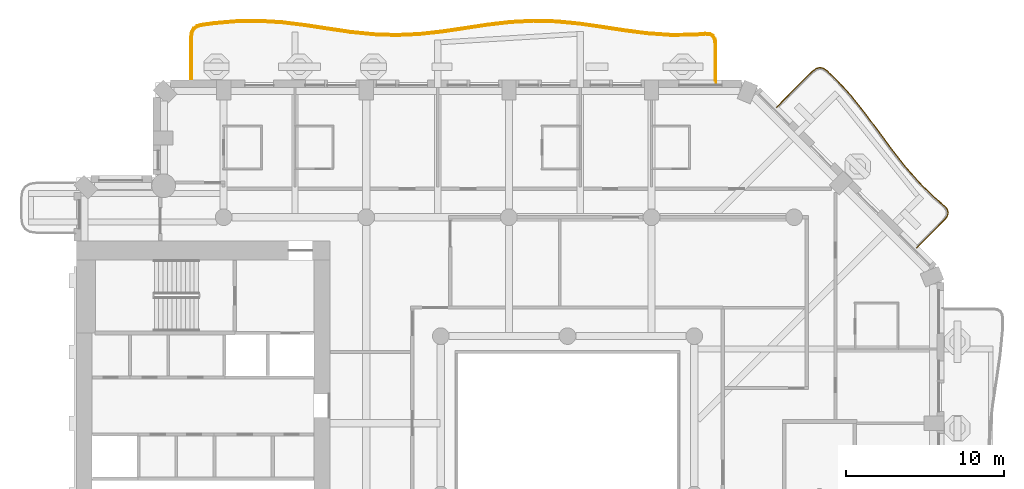
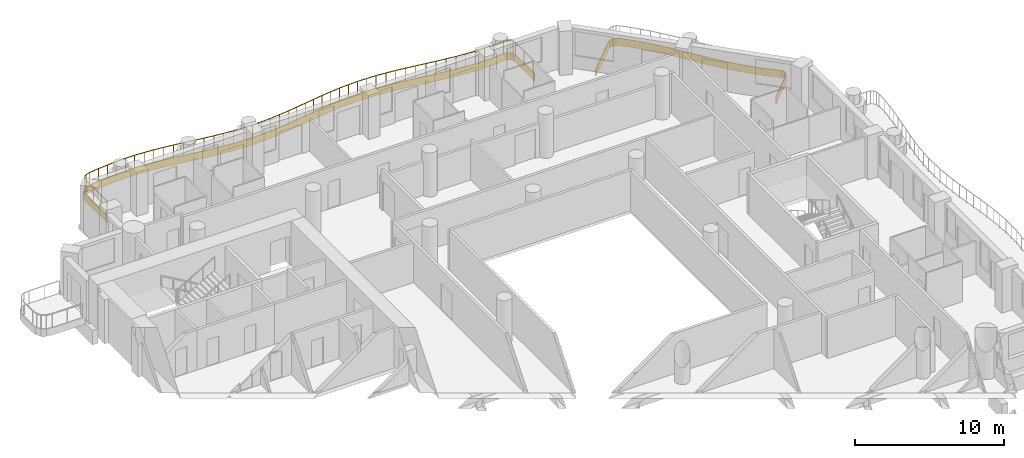
# One storey, part 19 of 21: 2 coverings, 1 railing.
"""IFC4 building model written with IfcOpenShell, lengths in metres."""

from ifc_helpers import new_model, si_unit, direction, frame, origin, origin_2d, place, context, subcontext, project, spatial, polyline, rectangle, outline, extrude, material, layer, layer_set, type_object, element, save


model = new_model("IFC4")

# Units and contexts
model_context = context("Model", 3, precision=1e-05, world=origin(), true_north=direction((0.0, 1.0)))
body_context = subcontext(model_context, "Body", "Model", "MODEL_VIEW")
ifc_project = project(units=[si_unit("LENGTHUNIT", "METRE"), si_unit("AREAUNIT", "SQUARE_METRE"), si_unit("VOLUMEUNIT", "CUBIC_METRE"), si_unit("PLANEANGLEUNIT", "RADIAN"), si_unit("MASSUNIT", "GRAM", prefix="KILO")], contexts=[model_context])

# Site, building, storey
site_placement = place(None, origin())
site = spatial("IfcSite", under=ifc_project, at=site_placement, CompositionType="ELEMENT")
building_placement = place(site_placement, origin())
building = spatial("IfcBuilding", under=site, at=building_placement, Name="Cypress Arch Tower", CompositionType="ELEMENT")
storey_placement = place(building_placement, frame((0.0, 0.0, 127.5)))
storey = spatial("IfcBuildingStorey", under=building, at=storey_placement, Name="L27", CompositionType="ELEMENT", Elevation=127.5)

# Coverings
ifc_material_1 = material(Name="White powder-coated aluminium fascia", Category="aluminium")
ifc_layer = layer(ifc_material_1, 0.050048828125)
ifc_layer_set = layer_set([ifc_layer], Name="Balcony fascia BF50")
covering_type = type_object("IfcCoveringType", Name="Balcony fascia BF50", PredefinedType="CLADDING", material=ifc_layer_set)
covering_1_placement = place(storey_placement, frame((0.0, 0.0, -0.60009765625)))
element("IfcCovering", 1, at=covering_1_placement, inside=storey, type_object=covering_type, Name="Balcony fascia L27-A07", PredefinedType="CLADDING", context=body_context, shape_type="SweptSolid", body=[
    extrude(outline(polyline([(16.4462890625, 26.735107421875), (16.678466796875, 26.909423828125), (16.922607421875, 26.972412109375), (17.16845703125, 26.916259765625), (17.405517578125, 26.748779296875), (17.963623046875, 26.221435546875), (18.90087890625, 25.194091796875), (19.774658203125, 24.10498046875), (20.609619140625, 22.978759765625), (21.43896484375, 21.849609375), (22.29736328125, 20.75146484375), (23.21240234375, 19.71142578125), (24.19873046875, 18.743408203125), (24.7822265625, 18.24658203125), (24.972412109375, 18.031005859375), (25.045654296875, 17.79833984375), (24.9912109375, 17.560546875), (24.819091796875, 17.330322265625), (23.045166015625, 15.556396484375), (23.009765625, 15.591796875), (24.78125, 17.36328125), (24.945068359375, 17.58203125), (24.993896484375, 17.79638671875), (24.927978515625, 18.005859375), (24.7470703125, 18.2109375), (24.1650390625, 18.70654296875), (23.176025390625, 19.677001953125), (22.259033203125, 20.719482421875), (21.399169921875, 21.8193359375), (20.5693359375, 22.94921875), (19.735107421875, 24.074462890625), (18.86279296875, 25.16162109375), (17.927978515625, 26.1865234375), (17.373779296875, 26.7099609375), (17.147705078125, 26.869873046875), (16.92333984375, 26.9208984375), (16.700439453125, 26.863525390625), (16.479248046875, 26.697265625), (14.191650390625, 24.40966796875), (14.15625, 24.445068359375), (16.4462890625, 26.735107421875)])), origin(), (0.0, 0.0, 1.0), 0.60009765625),
])
covering_2_placement = place(storey_placement, frame((0.0, 0.0, -0.60009765625)))
element("IfcCovering", 2, at=covering_2_placement, inside=storey, type_object=covering_type, Name="Balcony fascia L27-A08", PredefinedType="CLADDING", context=body_context, shape_type="SweptSolid", body=[
    extrude(outline(polyline([(-22.800048828125, 28.90087890625), (-22.7578125, 29.205078125), (-22.626708984375, 29.44384765625), (-22.408203125, 29.606201171875), (-22.112548828125, 29.689697265625), (-21.31640625, 29.799560546875), (-19.874267578125, 29.92431640625), (-18.431396484375, 29.944091796875), (-16.98876953125, 29.853759765625), (-15.547607421875, 29.676025390625), (-14.10791015625, 29.454833984375), (-12.669921875, 29.244873046875), (-11.233642578125, 29.09814453125), (-9.798095703125, 29.05029296875), (-8.362548828125, 29.113525390625), (-6.926025390625, 29.27197265625), (-5.48779296875, 29.48681640625), (-4.0478515625, 29.705078125), (-2.6064453125, 29.872802734375), (-1.163818359375, 29.9482421875), (0.279052734375, 29.91259765625), (1.72119140625, 29.77490234375), (3.16162109375, 29.569091796875), (4.6005859375, 29.3466796875), (6.03759765625, 29.161865234375), (7.473388671875, 29.060791015625), (8.90869140625, 29.06787109375), (9.701904296875, 29.130615234375), (9.99951171875, 29.111572265625), (10.22314453125, 28.99462890625), (10.357421875, 28.78076171875), (10.39990234375, 28.48583984375), (10.39990234375, 26.0009765625), (10.35009765625, 26.0009765625), (10.35009765625, 28.482177734375), (10.3095703125, 28.76318359375), (10.18798828125, 28.95654296875), (9.98583984375, 29.062255859375), (9.702392578125, 29.08056640625), (8.910888671875, 29.017822265625), (7.4716796875, 29.0107421875), (6.03271484375, 29.112060546875), (4.593505859375, 29.297119140625), (3.154296875, 29.519775390625), (1.71533203125, 29.72509765625), (0.276123046875, 29.862548828125), (-1.1630859375, 29.898193359375), (-2.602294921875, 29.822998046875), (-4.041259765625, 29.655517578125), (-5.48046875, 29.437255859375), (-6.919677734375, 29.222412109375), (-8.358642578125, 29.0634765625), (-9.7978515625, 29.000244140625), (-11.237060546875, 29.048095703125), (-12.676025390625, 29.1953125), (-14.115234375, 29.4052734375), (-15.554443359375, 29.62646484375), (-16.993408203125, 29.803955078125), (-18.4326171875, 29.89404296875), (-19.871826171875, 29.874267578125), (-21.310791015625, 29.749755859375), (-22.102294921875, 29.640625), (-22.3857421875, 29.560546875), (-22.588134765625, 29.41015625), (-22.70947265625, 29.18896484375), (-22.75, 28.8974609375), (-22.75, 26.0009765625), (-22.800048828125, 26.0009765625), (-22.800048828125, 28.90087890625)])), origin(), (0.0, 0.0, 1.0), 0.60009765625),
])

# Railing
ifc_material_2 = material(Name="Powder-coated steel posts and rods, 100 mm clear between rods", Category="steel")
railing_type = type_object("IfcRailingType", Name="Balcony guard GR1100", PredefinedType="GUARDRAIL", material=ifc_material_2)
railing_placement = place(storey_placement, frame((-22.699951171875, 26.14990234375, 0.0)))
element("IfcRailing", 3, at=railing_placement, inside=storey, type_object=railing_type, Name="Balcony guard L27-A08", PredefinedType="GUARDRAIL", context=body_context, shape_type="SweptSolid", body=[
    extrude(rectangle(XDim=0.050048828125, YDim=0.050048828125, at=origin_2d()), frame((0.0, 0.0, 1.0751953125), z_axis=(0.0, 1.0, 0.0), x_axis=(-1.0, 0.0, 0.0)), (0.0, 0.0, 1.0), 2.744140625),
    extrude(rectangle(XDim=0.050048828125, YDim=0.050048828125, at=origin_2d()), frame((0.0, 2.744140625, 1.0751953125), z_axis=(0.136930656517, 0.990580635438, 0.0), x_axis=(-0.990580635438, 0.136930656517, 0.0)), (0.0, 0.0, 1.0), 0.28173828125),
    extrude(rectangle(XDim=0.050048828125, YDim=0.050048828125, at=origin_2d()), frame((0.03857421875, 3.023193359375, 1.0751953125), z_axis=(0.481797598162, 0.876282531154, 0.0), x_axis=(-0.876282531154, 0.481797598162, 0.0)), (0.0, 0.0, 1.0), 0.232177734375),
    extrude(rectangle(XDim=0.050048828125, YDim=0.050048828125, at=origin_2d()), frame((0.150390625, 3.2265625, 1.0751953125), z_axis=(0.8021395351, 0.597136639497, 0.0), x_axis=(-0.597136639497, 0.8021395351, 0.0)), (0.0, 0.0, 1.0), 0.232177734375),
    extrude(rectangle(XDim=0.050048828125, YDim=0.050048828125, at=origin_2d()), frame((0.336669921875, 3.365234375, 1.0751953125), z_axis=(0.962530887514, 0.271172068219, 0.0), x_axis=(-0.271172068219, 0.962530887514, 0.0)), (0.0, 0.0, 1.0), 0.28173828125),
    extrude(rectangle(XDim=0.050048828125, YDim=0.050048828125, at=origin_2d()), frame((0.60791015625, 3.441650390625, 1.0751953125), z_axis=(0.990602470756, 0.136772603005, 0.0), x_axis=(-0.136772603005, 0.990602470756, 0.0)), (0.0, 0.0, 1.0), 0.79443359375),
    extrude(rectangle(XDim=0.050048828125, YDim=0.050048828125, at=origin_2d()), frame((1.394775390625, 3.55029296875, 1.0751953125), z_axis=(0.996276728106, 0.086212998063, 0.0), x_axis=(-0.086212998063, 0.996276728106, 0.0)), (0.0, 0.0, 1.0), 1.44140625),
    extrude(rectangle(XDim=0.050048828125, YDim=0.050048828125, at=origin_2d()), frame((2.830810546875, 3.674560546875, 1.0751953125), z_axis=(0.999907427339, 0.013606496715, 0.0), x_axis=(-0.013606496715, 0.999907427339, 0.0)), (0.0, 0.0, 1.0), 1.435546875),
    extrude(rectangle(XDim=0.050048828125, YDim=0.050048828125, at=origin_2d()), frame((4.26611328125, 3.694091796875, 1.0751953125), z_axis=(0.998047953368, -0.062452243979, 0.0), x_axis=(0.062452243979, 0.998047953368, 0.0)), (0.0, 0.0, 1.0), 1.438720703125),
    extrude(rectangle(XDim=0.050048828125, YDim=0.050048828125, at=origin_2d()), frame((5.701904296875, 3.604248046875, 1.0751953125), z_axis=(0.992476369165, -0.122436337131, 0.0), x_axis=(0.122436337131, 0.992476369165, 0.0)), (0.0, 0.0, 1.0), 1.44775390625),
    extrude(rectangle(XDim=0.050048828125, YDim=0.050048828125, at=origin_2d()), frame((7.138671875, 3.427001953125, 1.0751953125), z_axis=(0.988412381944, -0.151792500536, 0.0), x_axis=(0.151792500536, 0.988412381944, 0.0)), (0.0, 0.0, 1.0), 1.45556640625),
    extrude(rectangle(XDim=0.050048828125, YDim=0.050048828125, at=origin_2d()), frame((8.577392578125, 3.2060546875, 1.0751953125), z_axis=(0.989495028388, -0.144566900758, 0.0), x_axis=(0.144566900758, 0.989495028388, 0.0)), (0.0, 0.0, 1.0), 1.455810546875),
    extrude(rectangle(XDim=0.050048828125, YDim=0.050048828125, at=origin_2d()), frame((10.017822265625, 2.99560546875, 1.0751953125), z_axis=(0.994828239073, -0.101571525256, 0.0), x_axis=(0.101571525256, 0.994828239073, 0.0)), (0.0, 0.0, 1.0), 1.449462890625),
    extrude(rectangle(XDim=0.050048828125, YDim=0.050048828125, at=origin_2d()), frame((11.459716796875, 2.848388671875, 1.0751953125), z_axis=(0.999444719239, -0.033320461955, 0.0), x_axis=(0.033320461955, 0.999444719239, 0.0)), (0.0, 0.0, 1.0), 1.443359375),
    extrude(rectangle(XDim=0.050048828125, YDim=0.050048828125, at=origin_2d()), frame((12.90234375, 2.80029296875, 1.0751953125), z_axis=(0.999033700187, 0.043950721159, 0.0), x_axis=(-0.043950721159, 0.999033700187, 0.0)), (0.0, 0.0, 1.0), 1.4443359375),
    extrude(rectangle(XDim=0.050048828125, YDim=0.050048828125, at=origin_2d()), frame((14.34521484375, 2.86376953125, 1.0751953125), z_axis=(0.993959451155, 0.109747936012, 0.0), x_axis=(-0.109747936012, 0.993959451155, 0.0)), (0.0, 0.0, 1.0), 1.450439453125),
    extrude(rectangle(XDim=0.050048828125, YDim=0.050048828125, at=origin_2d()), frame((15.786865234375, 3.02294921875, 1.0751953125), z_axis=(0.989030844863, 0.147709132789, 0.0), x_axis=(-0.147709132789, 0.989030844863, 0.0)), (0.0, 0.0, 1.0), 1.4560546875),
    extrude(rectangle(XDim=0.050048828125, YDim=0.050048828125, at=origin_2d()), frame((17.22705078125, 3.238037109375, 1.0751953125), z_axis=(0.988704955707, 0.149874983101, 0.0), x_axis=(-0.149874983101, 0.988704955707, 0.0)), (0.0, 0.0, 1.0), 1.45458984375),
    extrude(rectangle(XDim=0.050048828125, YDim=0.050048828125, at=origin_2d()), frame((18.665283203125, 3.4560546875, 1.0751953125), z_axis=(0.993313233441, 0.115450510055, 0.0), x_axis=(-0.115450510055, 0.993313233441, 0.0)), (0.0, 0.0, 1.0), 1.446533203125),
    extrude(rectangle(XDim=0.050048828125, YDim=0.050048828125, at=origin_2d()), frame((20.10205078125, 3.623046875, 1.0751953125), z_axis=(0.998630934565, 0.05230923943, 0.0), x_axis=(-0.05230923943, 0.998630934565, 0.0)), (0.0, 0.0, 1.0), 1.4375),
    extrude(rectangle(XDim=0.050048828125, YDim=0.050048828125, at=origin_2d()), frame((21.53759765625, 3.6982421875, 1.0751953125), z_axis=(0.999696084159, -0.024652369422, 0.0), x_axis=(0.024652369422, 0.999696084159, 0.0)), (0.0, 0.0, 1.0), 1.43603515625),
    extrude(rectangle(XDim=0.050048828125, YDim=0.050048828125, at=origin_2d()), frame((22.97314453125, 3.662841796875, 1.0751953125), z_axis=(0.995466522514, -0.095112578316, 0.0), x_axis=(0.095112578316, 0.995466522514, 0.0)), (0.0, 0.0, 1.0), 1.442626953125),
    extrude(rectangle(XDim=0.050048828125, YDim=0.050048828125, at=origin_2d()), frame((24.4091796875, 3.525634765625, 1.0751953125), z_axis=(0.989956216646, -0.141374287349, 0.0), x_axis=(0.141374287349, 0.989956216646, 0.0)), (0.0, 0.0, 1.0), 1.452392578125),
    extrude(rectangle(XDim=0.050048828125, YDim=0.050048828125, at=origin_2d()), frame((25.846923828125, 3.3203125, 1.0751953125), z_axis=(0.988247354553, -0.152863227163, 0.0), x_axis=(0.152863227163, 0.988247354553, 0.0)), (0.0, 0.0, 1.0), 1.45654296875),
    extrude(rectangle(XDim=0.050048828125, YDim=0.050048828125, at=origin_2d()), frame((27.286376953125, 3.09765625, 1.0751953125), z_axis=(0.991856103893, -0.127363531552, 0.0), x_axis=(0.127363531552, 0.991856103893, 0.0)), (0.0, 0.0, 1.0), 1.452880859375),
    extrude(rectangle(XDim=0.050048828125, YDim=0.050048828125, at=origin_2d()), frame((28.7275390625, 2.91259765625, 1.0751953125), z_axis=(0.997519177568, -0.070395244042, 0.0), x_axis=(0.070395244042, 0.997519177568, 0.0)), (0.0, 0.0, 1.0), 1.4462890625),
    extrude(rectangle(XDim=0.050048828125, YDim=0.050048828125, at=origin_2d()), frame((30.170166015625, 2.810791015625, 1.0751953125), z_axis=(0.99998711664, 0.005076076734, 0.0), x_axis=(-0.005076076734, 0.99998711664, 0.0)), (0.0, 0.0, 1.0), 1.44287109375),
    extrude(rectangle(XDim=0.050048828125, YDim=0.050048828125, at=origin_2d()), frame((31.613037109375, 2.818115234375, 1.0751953125), z_axis=(0.996883497739, 0.078887844025, 0.0), x_axis=(-0.078887844025, 0.996883497739, 0.0)), (0.0, 0.0, 1.0), 0.792236328125),
    extrude(rectangle(XDim=0.050048828125, YDim=0.050048828125, at=origin_2d()), frame((32.40283203125, 2.880615234375, 1.0751953125), z_axis=(0.997930935599, -0.064295005833, 0.0), x_axis=(0.064295005833, 0.997930935599, 0.0)), (0.0, 0.0, 1.0), 0.26953125),
    extrude(rectangle(XDim=0.050048828125, YDim=0.050048828125, at=origin_2d()), frame((32.671875, 2.86328125, 1.0751953125), z_axis=(0.885901726411, -0.463872968755, 0.0), x_axis=(0.463872968755, 0.885901726411, 0.0)), (0.0, 0.0, 1.0), 0.2041015625),
    extrude(rectangle(XDim=0.050048828125, YDim=0.050048828125, at=origin_2d()), frame((32.852783203125, 2.7685546875, 1.0751953125), z_axis=(0.532147054497, -0.846651942885, 0.0), x_axis=(0.846651942885, 0.532147054497, 0.0)), (0.0, 0.0, 1.0), 0.2041015625),
    extrude(rectangle(XDim=0.050048828125, YDim=0.050048828125, at=origin_2d()), frame((32.96142578125, 2.595703125, 1.0751953125), z_axis=(0.142941069284, -0.989731201242, 0.0), x_axis=(0.989731201242, 0.142941069284, 0.0)), (0.0, 0.0, 1.0), 0.269775390625),
    extrude(rectangle(XDim=0.050048828125, YDim=0.050048828125, at=origin_2d()), frame((33.0, 2.32861328125, 1.0751953125), z_axis=(0.0, -1.0, 0.0), x_axis=(1.0, 0.0, 0.0)), (0.0, 0.0, 1.0), 2.32861328125),
    extrude(rectangle(XDim=0.0400390625, YDim=0.0400390625, at=origin_2d()), origin(), (0.0, 0.0, 1.0), 1.050048828125),
    extrude(rectangle(XDim=0.0400390625, YDim=0.0400390625, at=origin_2d()), frame((0.0, 0.914794921875, 0.0)), (0.0, 0.0, 1.0), 1.050048828125),
    extrude(rectangle(XDim=0.0400390625, YDim=0.0400390625, at=origin_2d()), frame((0.0, 1.829345703125, 0.0)), (0.0, 0.0, 1.0), 1.050048828125),
    extrude(rectangle(XDim=0.0400390625, YDim=0.0400390625, at=origin_2d()), frame((0.0, 2.744140625, 0.0)), (0.0, 0.0, 1.0), 1.050048828125),
    extrude(rectangle(XDim=0.0400390625, YDim=0.0400390625, at=origin_2d()), frame((0.03857421875, 3.023193359375, 0.0)), (0.0, 0.0, 1.0), 1.050048828125),
    extrude(rectangle(XDim=0.0400390625, YDim=0.0400390625, at=origin_2d()), frame((0.150390625, 3.2265625, 0.0)), (0.0, 0.0, 1.0), 1.050048828125),
    extrude(rectangle(XDim=0.0400390625, YDim=0.0400390625, at=origin_2d()), frame((0.336669921875, 3.365234375, 0.0)), (0.0, 0.0, 1.0), 1.050048828125),
    extrude(rectangle(XDim=0.0400390625, YDim=0.0400390625, at=origin_2d()), frame((0.60791015625, 3.441650390625, 0.0)), (0.0, 0.0, 1.0), 1.050048828125),
    extrude(rectangle(XDim=0.0400390625, YDim=0.0400390625, at=origin_2d()), frame((1.394775390625, 3.55029296875, 0.0)), (0.0, 0.0, 1.0), 1.050048828125),
    extrude(rectangle(XDim=0.0400390625, YDim=0.0400390625, at=origin_2d()), frame((2.11279296875, 3.6123046875, 0.0)), (0.0, 0.0, 1.0), 1.050048828125),
    extrude(rectangle(XDim=0.0400390625, YDim=0.0400390625, at=origin_2d()), frame((2.830810546875, 3.674560546875, 0.0)), (0.0, 0.0, 1.0), 1.050048828125),
    extrude(rectangle(XDim=0.0400390625, YDim=0.0400390625, at=origin_2d()), frame((3.54833984375, 3.684326171875, 0.0)), (0.0, 0.0, 1.0), 1.050048828125),
    extrude(rectangle(XDim=0.0400390625, YDim=0.0400390625, at=origin_2d()), frame((4.26611328125, 3.694091796875, 0.0)), (0.0, 0.0, 1.0), 1.050048828125),
    extrude(rectangle(XDim=0.0400390625, YDim=0.0400390625, at=origin_2d()), frame((4.98388671875, 3.649169921875, 0.0)), (0.0, 0.0, 1.0), 1.050048828125),
    extrude(rectangle(XDim=0.0400390625, YDim=0.0400390625, at=origin_2d()), frame((5.701904296875, 3.604248046875, 0.0)), (0.0, 0.0, 1.0), 1.050048828125),
    extrude(rectangle(XDim=0.0400390625, YDim=0.0400390625, at=origin_2d()), frame((6.42041015625, 3.515625, 0.0)), (0.0, 0.0, 1.0), 1.050048828125),
    extrude(rectangle(XDim=0.0400390625, YDim=0.0400390625, at=origin_2d()), frame((7.138671875, 3.427001953125, 0.0)), (0.0, 0.0, 1.0), 1.050048828125),
    extrude(rectangle(XDim=0.0400390625, YDim=0.0400390625, at=origin_2d()), frame((7.85791015625, 3.31640625, 0.0)), (0.0, 0.0, 1.0), 1.050048828125),
    extrude(rectangle(XDim=0.0400390625, YDim=0.0400390625, at=origin_2d()), frame((8.577392578125, 3.2060546875, 0.0)), (0.0, 0.0, 1.0), 1.050048828125),
    extrude(rectangle(XDim=0.0400390625, YDim=0.0400390625, at=origin_2d()), frame((9.297607421875, 3.100830078125, 0.0)), (0.0, 0.0, 1.0), 1.050048828125),
    extrude(rectangle(XDim=0.0400390625, YDim=0.0400390625, at=origin_2d()), frame((10.017822265625, 2.99560546875, 0.0)), (0.0, 0.0, 1.0), 1.050048828125),
    extrude(rectangle(XDim=0.0400390625, YDim=0.0400390625, at=origin_2d()), frame((10.73876953125, 2.921875, 0.0)), (0.0, 0.0, 1.0), 1.050048828125),
    extrude(rectangle(XDim=0.0400390625, YDim=0.0400390625, at=origin_2d()), frame((11.459716796875, 2.848388671875, 0.0)), (0.0, 0.0, 1.0), 1.050048828125),
    extrude(rectangle(XDim=0.0400390625, YDim=0.0400390625, at=origin_2d()), frame((12.18115234375, 2.82421875, 0.0)), (0.0, 0.0, 1.0), 1.050048828125),
    extrude(rectangle(XDim=0.0400390625, YDim=0.0400390625, at=origin_2d()), frame((12.90234375, 2.80029296875, 0.0)), (0.0, 0.0, 1.0), 1.050048828125),
    extrude(rectangle(XDim=0.0400390625, YDim=0.0400390625, at=origin_2d()), frame((13.623779296875, 2.83203125, 0.0)), (0.0, 0.0, 1.0), 1.050048828125),
    extrude(rectangle(XDim=0.0400390625, YDim=0.0400390625, at=origin_2d()), frame((14.34521484375, 2.86376953125, 0.0)), (0.0, 0.0, 1.0), 1.050048828125),
    extrude(rectangle(XDim=0.0400390625, YDim=0.0400390625, at=origin_2d()), frame((15.06591796875, 2.943359375, 0.0)), (0.0, 0.0, 1.0), 1.050048828125),
    extrude(rectangle(XDim=0.0400390625, YDim=0.0400390625, at=origin_2d()), frame((15.786865234375, 3.02294921875, 0.0)), (0.0, 0.0, 1.0), 1.050048828125),
    extrude(rectangle(XDim=0.0400390625, YDim=0.0400390625, at=origin_2d()), frame((16.5068359375, 3.13037109375, 0.0)), (0.0, 0.0, 1.0), 1.050048828125),
    extrude(rectangle(XDim=0.0400390625, YDim=0.0400390625, at=origin_2d()), frame((17.22705078125, 3.238037109375, 0.0)), (0.0, 0.0, 1.0), 1.050048828125),
    extrude(rectangle(XDim=0.0400390625, YDim=0.0400390625, at=origin_2d()), frame((17.9462890625, 3.34716796875, 0.0)), (0.0, 0.0, 1.0), 1.050048828125),
    extrude(rectangle(XDim=0.0400390625, YDim=0.0400390625, at=origin_2d()), frame((18.665283203125, 3.4560546875, 0.0)), (0.0, 0.0, 1.0), 1.050048828125),
    extrude(rectangle(XDim=0.0400390625, YDim=0.0400390625, at=origin_2d()), frame((19.3837890625, 3.53955078125, 0.0)), (0.0, 0.0, 1.0), 1.050048828125),
    extrude(rectangle(XDim=0.0400390625, YDim=0.0400390625, at=origin_2d()), frame((20.10205078125, 3.623046875, 0.0)), (0.0, 0.0, 1.0), 1.050048828125),
    extrude(rectangle(XDim=0.0400390625, YDim=0.0400390625, at=origin_2d()), frame((20.81982421875, 3.66064453125, 0.0)), (0.0, 0.0, 1.0), 1.050048828125),
    extrude(rectangle(XDim=0.0400390625, YDim=0.0400390625, at=origin_2d()), frame((21.53759765625, 3.6982421875, 0.0)), (0.0, 0.0, 1.0), 1.050048828125),
    extrude(rectangle(XDim=0.0400390625, YDim=0.0400390625, at=origin_2d()), frame((22.25537109375, 3.6806640625, 0.0)), (0.0, 0.0, 1.0), 1.050048828125),
    extrude(rectangle(XDim=0.0400390625, YDim=0.0400390625, at=origin_2d()), frame((22.97314453125, 3.662841796875, 0.0)), (0.0, 0.0, 1.0), 1.050048828125),
    extrude(rectangle(XDim=0.0400390625, YDim=0.0400390625, at=origin_2d()), frame((23.691162109375, 3.59423828125, 0.0)), (0.0, 0.0, 1.0), 1.050048828125),
    extrude(rectangle(XDim=0.0400390625, YDim=0.0400390625, at=origin_2d()), frame((24.4091796875, 3.525634765625, 0.0)), (0.0, 0.0, 1.0), 1.050048828125),
    extrude(rectangle(XDim=0.0400390625, YDim=0.0400390625, at=origin_2d()), frame((25.1279296875, 3.4228515625, 0.0)), (0.0, 0.0, 1.0), 1.050048828125),
    extrude(rectangle(XDim=0.0400390625, YDim=0.0400390625, at=origin_2d()), frame((25.846923828125, 3.3203125, 0.0)), (0.0, 0.0, 1.0), 1.050048828125),
    extrude(rectangle(XDim=0.0400390625, YDim=0.0400390625, at=origin_2d()), frame((26.566650390625, 3.208984375, 0.0)), (0.0, 0.0, 1.0), 1.050048828125),
    extrude(rectangle(XDim=0.0400390625, YDim=0.0400390625, at=origin_2d()), frame((27.286376953125, 3.09765625, 0.0)), (0.0, 0.0, 1.0), 1.050048828125),
    extrude(rectangle(XDim=0.0400390625, YDim=0.0400390625, at=origin_2d()), frame((28.0068359375, 3.005126953125, 0.0)), (0.0, 0.0, 1.0), 1.050048828125),
    extrude(rectangle(XDim=0.0400390625, YDim=0.0400390625, at=origin_2d()), frame((28.7275390625, 2.91259765625, 0.0)), (0.0, 0.0, 1.0), 1.050048828125),
    extrude(rectangle(XDim=0.0400390625, YDim=0.0400390625, at=origin_2d()), frame((29.44873046875, 2.86181640625, 0.0)), (0.0, 0.0, 1.0), 1.050048828125),
    extrude(rectangle(XDim=0.0400390625, YDim=0.0400390625, at=origin_2d()), frame((30.170166015625, 2.810791015625, 0.0)), (0.0, 0.0, 1.0), 1.050048828125),
    extrude(rectangle(XDim=0.0400390625, YDim=0.0400390625, at=origin_2d()), frame((30.8916015625, 2.814453125, 0.0)), (0.0, 0.0, 1.0), 1.050048828125),
    extrude(rectangle(XDim=0.0400390625, YDim=0.0400390625, at=origin_2d()), frame((31.613037109375, 2.818115234375, 0.0)), (0.0, 0.0, 1.0), 1.050048828125),
    extrude(rectangle(XDim=0.0400390625, YDim=0.0400390625, at=origin_2d()), frame((32.40283203125, 2.880615234375, 0.0)), (0.0, 0.0, 1.0), 1.050048828125),
    extrude(rectangle(XDim=0.0400390625, YDim=0.0400390625, at=origin_2d()), frame((32.671875, 2.86328125, 0.0)), (0.0, 0.0, 1.0), 1.050048828125),
    extrude(rectangle(XDim=0.0400390625, YDim=0.0400390625, at=origin_2d()), frame((32.852783203125, 2.7685546875, 0.0)), (0.0, 0.0, 1.0), 1.050048828125),
    extrude(rectangle(XDim=0.0400390625, YDim=0.0400390625, at=origin_2d()), frame((32.96142578125, 2.595703125, 0.0)), (0.0, 0.0, 1.0), 1.050048828125),
    extrude(rectangle(XDim=0.0400390625, YDim=0.0400390625, at=origin_2d()), frame((33.0, 2.32861328125, 0.0)), (0.0, 0.0, 1.0), 1.050048828125),
    extrude(rectangle(XDim=0.0400390625, YDim=0.0400390625, at=origin_2d()), frame((33.0, 1.164306640625, 0.0)), (0.0, 0.0, 1.0), 1.050048828125),
    extrude(rectangle(XDim=0.0400390625, YDim=0.0400390625, at=origin_2d()), frame((33.0, 0.0, 0.0)), (0.0, 0.0, 1.0), 1.050048828125),
])

save(model, "model.ifc")
